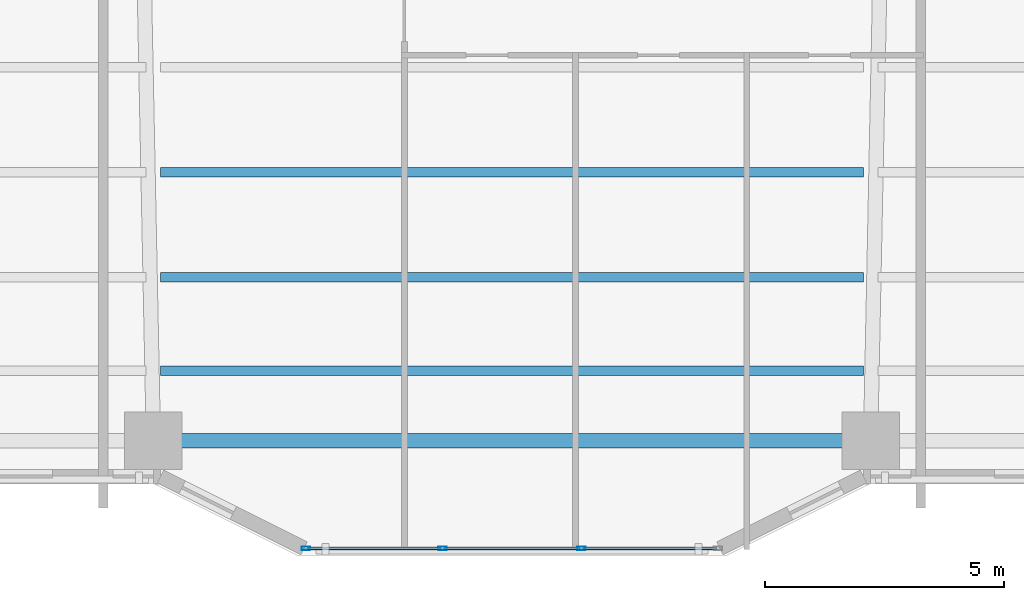
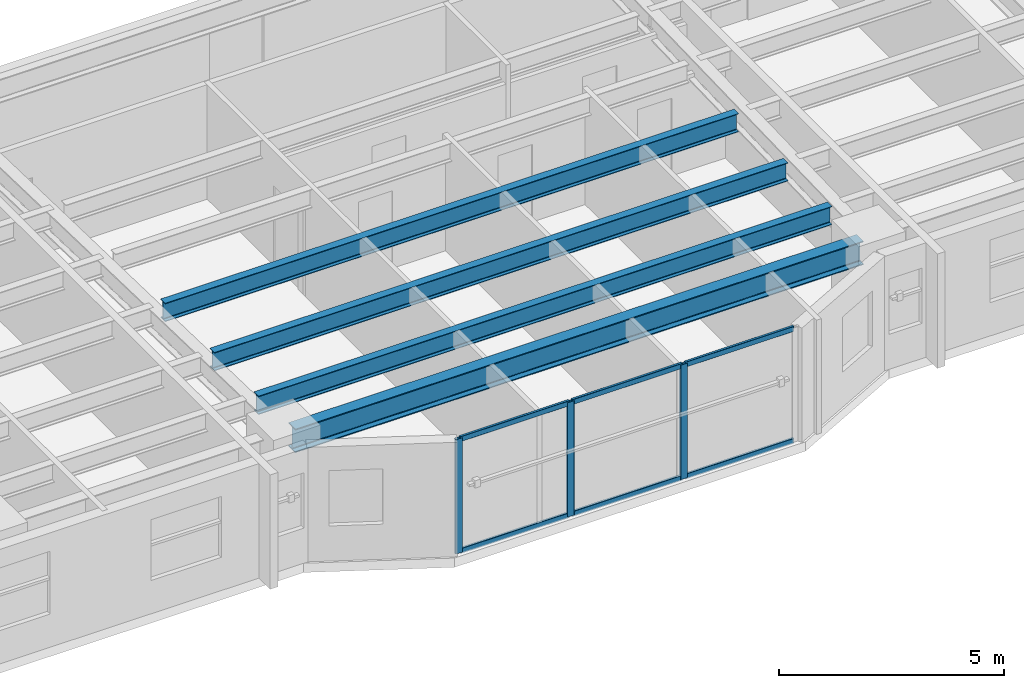
# One storey, part 2 of 19: 9 members, 4 beams, 1 element without a shape of its own.
"""IFC4 building model written with IfcOpenShell, lengths in metres."""

import ifcopenshell
import ifcopenshell.guid

model = None  # the IFC model being written
_history = None  # IfcOwnerHistory: only IFC2X3 demands one
_inside = {}  # id of a spatial element -> (the spatial element, [elements in it])
_under = {}  # id of a project, library or spatial element -> (it, [spatial elements below it])
_declared = {}  # id of a project -> (the project, [libraries it declares])
_typed = {}  # id of a type object -> (the type object, [elements of that type])
_made_of = {}  # id of a material, layer set ... -> (it, [elements and type objects made of it])


def new_model(schema):
    """Start an empty IFC model of exactly this schema.

    Asked for "IFC4X3", IfcOpenShell would pick the latest addendum, in which some entities
    have other attributes; the version numbers below select the first issue.
    IFC2X3 requires an IfcOwnerHistory on every rooted entity: one is made here for all.
    """
    global model, _history
    if schema == "IFC4X3":
        model = ifcopenshell.file(schema_version=(4, 3, 0, 0))
    else:
        model = ifcopenshell.file(schema=schema)
    _inside.clear()
    _under.clear()
    _declared.clear()
    _typed.clear()
    _made_of.clear()
    _history = None
    if model.schema == "IFC2X3":
        org = make("IfcOrganization", Name="unknown")
        user = make(
            "IfcPersonAndOrganization",
            ThePerson=make("IfcPerson", FamilyName="unknown"),
            TheOrganization=org,
        )
        app = make(
            "IfcApplication",
            ApplicationDeveloper=org,
            Version="unknown",
            ApplicationFullName="unknown",
            ApplicationIdentifier="unknown",
        )
        _history = make(
            "IfcOwnerHistory",
            OwningUser=user,
            OwningApplication=app,
            ChangeAction="ADDED",
            CreationDate=0,
        )
    return model


def make(cls, **values):
    """One entity of the class cls with the attributes given. An attribute that is None is left unset."""
    return model.create_entity(
        cls, **{name: value for name, value in values.items() if value is not None}
    )


def rooted(cls, **values):
    """An entity with a GlobalId (a new one), such as an element, a storey or a relation."""
    return make(cls, GlobalId=ifcopenshell.guid.new(), OwnerHistory=_history, **values)


def si_unit(unit_type, name, prefix=None):
    """IfcSIUnit, for example si_unit("LENGTHUNIT", "METRE", prefix="MILLI")."""
    return make("IfcSIUnit", UnitType=unit_type, Prefix=prefix, Name=name)


def assignment(units):
    """IfcUnitAssignment: the units of a project."""
    return None if units is None else make("IfcUnitAssignment", Units=units)


def point(xyz):
    """IfcCartesianPoint."""
    return None if xyz is None else make("IfcCartesianPoint", Coordinates=xyz)


def direction(xyz):
    """IfcDirection."""
    return None if xyz is None else make("IfcDirection", DirectionRatios=xyz)


def frame(location, z_axis=None, x_axis=None):
    """IfcAxis2Placement3D, a coordinate frame: its origin and axes. An axis left out is left unset."""
    return make(
        "IfcAxis2Placement3D",
        Location=point(location),
        Axis=direction(z_axis),
        RefDirection=direction(x_axis),
    )


def frame_2d(location, x_axis=None):
    """IfcAxis2Placement2D, a coordinate frame in the plane: its origin and x axis."""
    return make(
        "IfcAxis2Placement2D", Location=point(location), RefDirection=direction(x_axis)
    )


def origin():
    """The frame at (0, 0, 0) with its axes left unset."""
    return frame((0.0, 0.0, 0.0))


def origin_2d():
    """The frame at (0, 0) in the plane with its x axis left unset."""
    return frame_2d((0.0, 0.0))


def place(relative_to, where):
    """IfcLocalPlacement: puts the frame where relative to a parent placement (None: the world)."""
    return make(
        "IfcLocalPlacement", PlacementRelTo=relative_to, RelativePlacement=where
    )


def context(
    kind, dimensions, precision=None, world=None, true_north=None, identifier=None
):
    """IfcGeometricRepresentationContext, for example the 3D "Model" context."""
    return make(
        "IfcGeometricRepresentationContext",
        ContextIdentifier=identifier,
        ContextType=kind,
        CoordinateSpaceDimension=dimensions,
        Precision=precision,
        WorldCoordinateSystem=world,
        TrueNorth=true_north,
    )


def subcontext(parent, identifier, kind, view, scale=None):
    """IfcGeometricRepresentationSubContext, for example "Body" below "Model"."""
    return make(
        "IfcGeometricRepresentationSubContext",
        ContextIdentifier=identifier,
        ContextType=kind,
        ParentContext=parent,
        TargetScale=scale,
        TargetView=view,
    )


def project(units=None, contexts=None):
    """IfcProject with its units and contexts."""
    return rooted(
        "IfcProject",
        Name="project",
        RepresentationContexts=contexts,
        UnitsInContext=assignment(units),
    )


def spatial(cls, under=None, at=None, **own):
    """A site, building, storey or space (cls), placed at a placement, below another one or the project."""
    s = rooted(cls, ObjectPlacement=at, **own)
    if under is not None:
        _under.setdefault(under.id(), (under, []))[1].append(s)
    return s


def profile(cls, at=None, kind="AREA", **sizes):
    """A parametric profile (cls). Its sizes go by their IFC names, for example OverallWidth=200.0."""
    return make(cls, ProfileType=kind, Position=at, **sizes)


def hollow_rectangle(**sizes):
    """IfcRectangleHollowProfileDef."""
    return profile("IfcRectangleHollowProfileDef", **sizes)


def i_section(**sizes):
    """IfcIShapeProfileDef."""
    return profile("IfcIShapeProfileDef", **sizes)


def extrude(swept, where, along, depth):
    """IfcExtrudedAreaSolid: the profile swept, set in the frame where, extruded along a direction by depth."""
    return make(
        "IfcExtrudedAreaSolid",
        SweptArea=swept,
        Position=where,
        ExtrudedDirection=direction(along),
        Depth=depth,
    )


def shape(context_of_items, identifier, shape_type, items):
    """IfcShapeRepresentation: the items that make up one representation, for example the "Body"."""
    return make(
        "IfcShapeRepresentation",
        ContextOfItems=context_of_items,
        RepresentationIdentifier=identifier,
        RepresentationType=shape_type,
        Items=items,
    )


def material(Name=None, Category=None):
    """IfcMaterial."""
    return make("IfcMaterial", Name=Name, Category=Category)


def layer(
    of_material, thickness, ventilated=None, Name=None, Category=None, Priority=None
):
    """IfcMaterialLayer: one layer of a wall or slab, of a material (None: an air gap)."""
    return make(
        "IfcMaterialLayer",
        Material=of_material,
        LayerThickness=thickness,
        IsVentilated=ventilated,
        Name=Name,
        Category=Category,
        Priority=Priority,
    )


def layer_set(layers, Name=None):
    """IfcMaterialLayerSet."""
    return make("IfcMaterialLayerSet", MaterialLayers=layers, LayerSetName=Name)


def material_profile(
    of_material, cross_section, Name=None, Category=None, Priority=None
):
    """IfcMaterialProfile: a cross section and its material."""
    return make(
        "IfcMaterialProfile",
        Name=Name,
        Material=of_material,
        Profile=cross_section,
        Priority=Priority,
        Category=Category,
    )


def profile_set(profiles, Name=None, composite=None):
    """IfcMaterialProfileSet."""
    return make(
        "IfcMaterialProfileSet",
        Name=Name,
        MaterialProfiles=profiles,
        CompositeProfile=composite,
    )


def made_of(thing, what):
    """Note that an element or type object is made of a material, layer set ...; save() writes the relation."""
    if what is not None:
        _made_of.setdefault(what.id(), (what, []))[1].append(thing)
    return thing


def type_object(cls, material=None, **own):
    """A type object (cls), such as IfcWallType, which elements share."""
    return made_of(rooted(cls, **own), material)


def element(
    cls,
    number,
    at=None,
    inside=None,
    cuts=None,
    type_object=None,
    material=None,
    context=None,
    identifier="Body",
    shape_type=None,
    held_by="IfcProductDefinitionShape",
    body=None,
    shapes=None,
    **own,
):
    """One element of the class cls, such as IfcWall. Its Tag is "e" and its number.

    at: its placement. inside: the storey or other place that contains it. cuts: it is an
    opening in that element (IfcRelVoidsElement). A single representation is given by context,
    identifier, shape_type and body (its items); several are given by shapes. held_by: the class
    of the entity that holds the representations. save() writes the other relations.
    """
    e = rooted(cls, Tag="e%d" % number, ObjectPlacement=at, **own)
    if body is not None:
        shapes = [shape(context, identifier, shape_type, body)]
    if shapes is not None:
        e.Representation = make(held_by, Representations=shapes)
    if inside is not None:
        _inside.setdefault(inside.id(), (inside, []))[1].append(e)
    if cuts is not None:
        rooted(
            "IfcRelVoidsElement", RelatingBuildingElement=cuts, RelatedOpeningElement=e
        )
    if type_object is not None:
        _typed.setdefault(type_object.id(), (type_object, []))[1].append(e)
    return made_of(e, material)


def aggregate(whole, parts):
    """IfcRelAggregates: a whole, such as a stair, and the parts it consists of."""
    return rooted("IfcRelAggregates", RelatingObject=whole, RelatedObjects=parts)


def save(model, path):
    """Write the relations noted so far, then the file.

    IfcRelAggregates (storeys below a building ...), IfcRelContainedInSpatialStructure (elements
    in a storey), IfcRelDefinesByType, IfcRelAssociatesMaterial and IfcRelDeclares: one each for
    every whole, place, type object, material and project.
    """
    for whole, parts in _under.values():
        aggregate(whole, parts)
    for where, things in _inside.values():
        rooted(
            "IfcRelContainedInSpatialStructure",
            RelatedElements=things,
            RelatingStructure=where,
        )
    for kind, things in _typed.values():
        rooted("IfcRelDefinesByType", RelatedObjects=things, RelatingType=kind)
    for what, things in _made_of.values():
        rooted("IfcRelAssociatesMaterial", RelatedObjects=things, RelatingMaterial=what)
    for by, libraries in _declared.values():
        rooted("IfcRelDeclares", RelatingContext=by, RelatedDefinitions=libraries)
    model.write(path)


model = new_model("IFC4")

# Units and contexts
model_context = context("Model", 3, precision=1e-05, world=origin(), true_north=direction((0.0, 1.0)))
body_context = subcontext(model_context, "Body", "Model", "MODEL_VIEW")
ifc_project = project(units=[si_unit("LENGTHUNIT", "METRE"), si_unit("AREAUNIT", "SQUARE_METRE"), si_unit("VOLUMEUNIT", "CUBIC_METRE"), si_unit("PLANEANGLEUNIT", "RADIAN"), si_unit("MASSUNIT", "GRAM", prefix="KILO")], contexts=[model_context])

# Site, building, storey
site_placement = place(None, origin())
site = spatial("IfcSite", under=ifc_project, at=site_placement, CompositionType="ELEMENT")
building_placement = place(site_placement, origin())
building = spatial("IfcBuilding", under=site, at=building_placement, Name="Tarnavaz Court Tower", CompositionType="ELEMENT")
storey_placement = place(building_placement, frame((0.0, 0.0, 54.14990234375)))
storey = spatial("IfcBuildingStorey", under=building, at=storey_placement, Name="L14", CompositionType="ELEMENT", Elevation=54.14990234375)

# Beams
ifc_material_1 = material(Name="Steel S355", Category="steel")
ifc_material_profile_1 = material_profile(ifc_material_1, i_section(OverallWidth=0.199951171875, OverallDepth=0.5, WebThickness=0.01025390625, FlangeThickness=0.01611328125, FilletRadius=0.02099609375, at=origin_2d()), Name="IPE 500")
ifc_profile_set_1 = profile_set([ifc_material_profile_1], Name="Steel S355")
beam_type_1 = type_object("IfcBeamType", Name="BM-J-IPE500", PredefinedType="JOIST", material=ifc_profile_set_1)
for number, where, z_axis, x_axis, name in (
    (1, (-7.35009765625, -17.18798828125, 2.85009765625), (1.0, 0.0, 0.0), (0.0, 1.0, 0.0), "L14 Beam JS3-2"),
    (2, (-7.35009765625, -19.384033203125, 2.85009765625), (1.0, 0.0, 0.0), (0.0, 1.0, 0.0), "L14 Beam JS4-2"),
    (3, (-7.35009765625, -21.3359375, 2.85009765625), (1.0, 0.0, 0.0), (0.0, 1.0, 0.0), "L14 Beam JS5-2"),
):
    element("IfcBeam", number, at=place(storey_placement, frame(where, z_axis=z_axis, x_axis=x_axis)), inside=storey, type_object=beam_type_1, Name=name, PredefinedType="JOIST", context=body_context, shape_type="SweptSolid", body=[
        extrude(i_section(OverallWidth=0.199951171875, OverallDepth=0.5, WebThickness=0.01025390625, FlangeThickness=0.01611328125, FilletRadius=0.02099609375, at=origin_2d()), origin(), (0.0, 0.0, 1.0), 14.7001953125),
    ])
ifc_material_profile_2 = material_profile(ifc_material_1, i_section(OverallWidth=0.300048828125, OverallDepth=0.639892578125, WebThickness=0.013427734375, FlangeThickness=0.02587890625, FilletRadius=0.027099609375, at=origin_2d()), Name="HEA 650")
ifc_profile_set_2 = profile_set([ifc_material_profile_2], Name="Steel S355")
beam_type_2 = type_object("IfcBeamType", Name="BM-SP-HEA650", PredefinedType="SPANDREL", material=ifc_profile_set_2)
beam_placement = place(storey_placement, frame((-7.280029296875, -22.800048828125, 2.780029296875), z_axis=(1.0, 0.0, 0.0), x_axis=(0.0, 1.0, 0.0)))
element("IfcBeam", 4, at=beam_placement, inside=storey, type_object=beam_type_2, Name="L14 Beam PR-PS-2-PS-3", PredefinedType="SPANDREL", context=body_context, shape_type="SweptSolid", body=[
    extrude(i_section(OverallWidth=0.300048828125, OverallDepth=0.639892578125, WebThickness=0.013427734375, FlangeThickness=0.02587890625, FilletRadius=0.027099609375, at=origin_2d()), origin(), (0.0, 0.0, 1.0), 14.56005859375),
])

# Curtain wall, members
ifc_material_2 = material(Name="Anodised Aluminium 6063-T6 and Solar Low-E Glazing", Category="aluminium")
ifc_layer = layer(ifc_material_2, 0.179931640625)
ifc_layer_set = layer_set([ifc_layer], Name="Anodised Aluminium 6063-T6 and Solar Low-E Glazing")
curtain_wall_type = type_object("IfcCurtainWallType", Name="CW-SYS-02", PredefinedType="NOTDEFINED", material=ifc_layer_set)
curtain_wall_placement = place(storey_placement, origin())
curtain_wall = element("IfcCurtainWall", 5, at=curtain_wall_placement, inside=storey, type_object=curtain_wall_type, Name="L14 Iwan Prow Curtain Wall 17", PredefinedType="NOTDEFINED")
ifc_material_3 = material(Name="Anodised Aluminium 6063-T6", Category="aluminium")
ifc_material_profile_3 = material_profile(ifc_material_3, hollow_rectangle(XDim=0.074951171875, YDim=0.179931640625, WallThickness=0.0048828125, InnerFilletRadius=0.0048828125, OuterFilletRadius=0.010009765625, at=origin_2d()), Name="ALU RHS 180X75X5")
ifc_profile_set_3 = profile_set([ifc_material_profile_3], Name="Anodised Aluminium 6063-T6")
member_type_1 = type_object("IfcMemberType", Name="CW-MUL-180", PredefinedType="MULLION", material=ifc_profile_set_3)
member_1_placement = place(storey_placement, frame((1.449951171875, -25.050048828125, 0.0), z_axis=(0.0, 0.0, 1.0), x_axis=(0.0, -1.0, 0.0)))
member_1 = element("IfcMember", 6, at=member_1_placement, type_object=member_type_1, Name="CW mullion 2", PredefinedType="MULLION", context=body_context, shape_type="SweptSolid", body=[
    extrude(hollow_rectangle(XDim=0.074951171875, YDim=0.179931640625, WallThickness=0.0048828125, InnerFilletRadius=0.0048828125, OuterFilletRadius=0.010009765625, at=origin_2d()), origin(), (0.0, 0.0, 1.0), 3.10009765625),
])
member_2_placement = place(storey_placement, frame((-1.449951171875, -25.050048828125, 0.0), z_axis=(0.0, 0.0, 1.0), x_axis=(0.0, -1.0, 0.0)))
member_2 = element("IfcMember", 7, at=member_2_placement, type_object=member_type_1, Name="CW mullion 3", PredefinedType="MULLION", context=body_context, shape_type="SweptSolid", body=[
    extrude(hollow_rectangle(XDim=0.074951171875, YDim=0.179931640625, WallThickness=0.0048828125, InnerFilletRadius=0.0048828125, OuterFilletRadius=0.010009765625, at=origin_2d()), origin(), (0.0, 0.0, 1.0), 3.10009765625),
])
member_3_placement = place(storey_placement, frame((-4.3125, -25.050048828125, 0.0), z_axis=(0.0, 0.0, 1.0), x_axis=(0.0, -1.0, 0.0)))
member_3 = element("IfcMember", 8, at=member_3_placement, type_object=member_type_1, Name="CW mullion 4", PredefinedType="MULLION", context=body_context, shape_type="SweptSolid", body=[
    extrude(hollow_rectangle(XDim=0.074951171875, YDim=0.179931640625, WallThickness=0.0048828125, InnerFilletRadius=0.0048828125, OuterFilletRadius=0.010009765625, at=origin_2d()), origin(), (0.0, 0.0, 1.0), 3.10009765625),
])
ifc_material_profile_4 = material_profile(ifc_material_3, hollow_rectangle(XDim=0.06494140625, YDim=0.139892578125, WallThickness=0.00390625, InnerFilletRadius=0.00390625, OuterFilletRadius=0.008056640625, at=origin_2d()), Name="ALU RHS 140X65X4")
ifc_profile_set_4 = profile_set([ifc_material_profile_4], Name="Anodised Aluminium 6063-T6")
member_type_2 = type_object("IfcMemberType", Name="CW-TRN-140", PredefinedType="USERDEFINED", material=ifc_profile_set_4)
member_4_placement = place(storey_placement, frame((4.27490234375, -25.050048828125, 0.03271484375), z_axis=(-1.0, 0.0, 0.0), x_axis=(0.0, -1.0, 0.0)))
member_4 = element("IfcMember", 9, at=member_4_placement, type_object=member_type_2, Name="CW transom 1.1", ObjectType="TRANSOM", PredefinedType="USERDEFINED", context=body_context, shape_type="SweptSolid", body=[
    extrude(hollow_rectangle(XDim=0.06494140625, YDim=0.139892578125, WallThickness=0.00390625, InnerFilletRadius=0.00390625, OuterFilletRadius=0.008056640625, at=origin_2d()), origin(), (0.0, 0.0, 1.0), 2.787353515625),
])
member_5_placement = place(storey_placement, frame((4.27490234375, -25.050048828125, 3.067626953125), z_axis=(-1.0, 0.0, 0.0), x_axis=(0.0, -1.0, 0.0)))
member_5 = element("IfcMember", 10, at=member_5_placement, type_object=member_type_2, Name="CW transom 1.2", ObjectType="TRANSOM", PredefinedType="USERDEFINED", context=body_context, shape_type="SweptSolid", body=[
    extrude(hollow_rectangle(XDim=0.06494140625, YDim=0.139892578125, WallThickness=0.00390625, InnerFilletRadius=0.00390625, OuterFilletRadius=0.008056640625, at=origin_2d()), origin(), (0.0, 0.0, 1.0), 2.787353515625),
])
member_6_placement = place(storey_placement, frame((1.41259765625, -25.050048828125, 0.03271484375), z_axis=(-1.0, 0.0, 0.0), x_axis=(0.0, -1.0, 0.0)))
member_6 = element("IfcMember", 11, at=member_6_placement, type_object=member_type_2, Name="CW transom 2.1", ObjectType="TRANSOM", PredefinedType="USERDEFINED", context=body_context, shape_type="SweptSolid", body=[
    extrude(hollow_rectangle(XDim=0.06494140625, YDim=0.139892578125, WallThickness=0.00390625, InnerFilletRadius=0.00390625, OuterFilletRadius=0.008056640625, at=origin_2d()), origin(), (0.0, 0.0, 1.0), 2.8251953125),
])
member_7_placement = place(storey_placement, frame((1.41259765625, -25.050048828125, 3.067626953125), z_axis=(-1.0, 0.0, 0.0), x_axis=(0.0, -1.0, 0.0)))
member_7 = element("IfcMember", 12, at=member_7_placement, type_object=member_type_2, Name="CW transom 2.2", ObjectType="TRANSOM", PredefinedType="USERDEFINED", context=body_context, shape_type="SweptSolid", body=[
    extrude(hollow_rectangle(XDim=0.06494140625, YDim=0.139892578125, WallThickness=0.00390625, InnerFilletRadius=0.00390625, OuterFilletRadius=0.008056640625, at=origin_2d()), origin(), (0.0, 0.0, 1.0), 2.8251953125),
])
member_8_placement = place(storey_placement, frame((-1.487548828125, -25.050048828125, 0.03271484375), z_axis=(-1.0, 0.0, 0.0), x_axis=(0.0, -1.0, 0.0)))
member_8 = element("IfcMember", 13, at=member_8_placement, type_object=member_type_2, Name="CW transom 3.1", ObjectType="TRANSOM", PredefinedType="USERDEFINED", context=body_context, shape_type="SweptSolid", body=[
    extrude(hollow_rectangle(XDim=0.06494140625, YDim=0.139892578125, WallThickness=0.00390625, InnerFilletRadius=0.00390625, OuterFilletRadius=0.008056640625, at=origin_2d()), origin(), (0.0, 0.0, 1.0), 2.787353515625),
])
member_9_placement = place(storey_placement, frame((-1.487548828125, -25.050048828125, 3.067626953125), z_axis=(-1.0, 0.0, 0.0), x_axis=(0.0, -1.0, 0.0)))
member_9 = element("IfcMember", 14, at=member_9_placement, type_object=member_type_2, Name="CW transom 3.2", ObjectType="TRANSOM", PredefinedType="USERDEFINED", context=body_context, shape_type="SweptSolid", body=[
    extrude(hollow_rectangle(XDim=0.06494140625, YDim=0.139892578125, WallThickness=0.00390625, InnerFilletRadius=0.00390625, OuterFilletRadius=0.008056640625, at=origin_2d()), origin(), (0.0, 0.0, 1.0), 2.787353515625),
])
aggregate(curtain_wall, [member_1, member_2, member_3, member_4, member_5, member_6, member_7, member_8, member_9])

save(model, "model.ifc")
